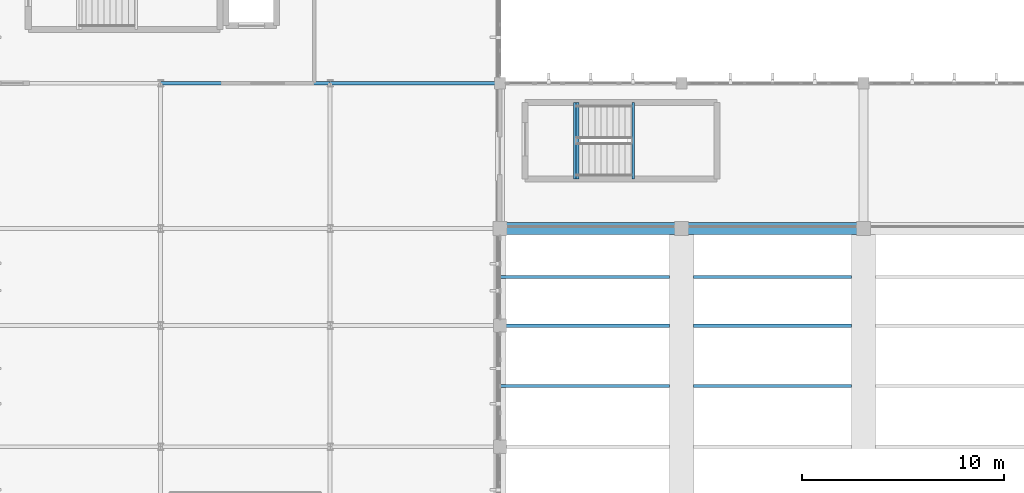
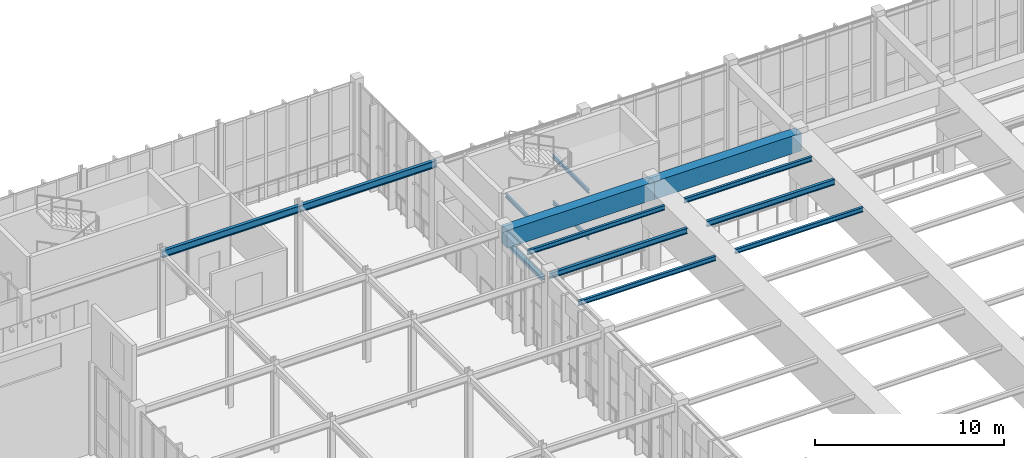
# One storey, part 37 of 105: 14 beams.
"""IFC4 building model written with IfcOpenShell, lengths in metres."""

from ifc_helpers import new_model, si_unit, direction, frame, origin, origin_2d, place, context, subcontext, project, spatial, rectangle, i_section, extrude, material, material_profile, profile_set, type_object, element, save


model = new_model("IFC4")

# Units and contexts
model_context = context("Model", 3, precision=1e-05, world=origin(), true_north=direction((0.0, 1.0)))
body_context = subcontext(model_context, "Body", "Model", "MODEL_VIEW")
ifc_project = project(units=[si_unit("LENGTHUNIT", "METRE"), si_unit("AREAUNIT", "SQUARE_METRE"), si_unit("VOLUMEUNIT", "CUBIC_METRE"), si_unit("PLANEANGLEUNIT", "RADIAN"), si_unit("MASSUNIT", "GRAM", prefix="KILO")], contexts=[model_context])

# Site, building, storey
site_placement = place(None, origin())
site = spatial("IfcSite", under=ifc_project, at=site_placement, CompositionType="ELEMENT")
building_placement = place(site_placement, origin())
building = spatial("IfcBuilding", under=site, at=building_placement, Name="Tizgana Railside Sports Hall", CompositionType="ELEMENT")
storey_placement = place(building_placement, frame((0.0, 0.0, 6.0)))
storey = spatial("IfcBuildingStorey", under=building, at=storey_placement, Name="L01", CompositionType="ELEMENT", Elevation=6.0)

# Beams
ifc_material_1 = material(Name="Concrete C40/50", Category="concrete")
ifc_material_profile_1 = material_profile(ifc_material_1, rectangle(XDim=0.60009765625, YDim=1.14990234375, at=origin_2d()), Name="RCB 600x1150")
ifc_profile_set_1 = profile_set([ifc_material_profile_1], Name="Concrete C40/50")
beam_type_1 = type_object("IfcBeamType", Name="Concrete Beam RCB 600x1150", PredefinedType="BEAM", material=ifc_profile_set_1)
for number, where, z_axis, x_axis, name in (
    (1, (79.800048828125, 73.199951171875, 5.06103515625), (1.0, 0.0, 0.0), (0.0, 1.0, 0.0), "L01 BEM-0266"),
    (2, (88.800048828125, 73.199951171875, 5.06103515625), (1.0, 0.0, 0.0), (0.0, 1.0, 0.0), "L01 BEM-0278"),
):
    element("IfcBeam", number, at=place(storey_placement, frame(where, z_axis=z_axis, x_axis=x_axis)), inside=storey, type_object=beam_type_1, Name=name, PredefinedType="BEAM", context=body_context, shape_type="SweptSolid", body=[
        extrude(rectangle(XDim=0.60009765625, YDim=1.14990234375, at=origin_2d()), origin(), (0.0, 0.0, 1.0), 9.0),
    ])
ifc_material_2 = material(Name="Steel S355J2", Category="steel")
ifc_material_profile_2 = material_profile(ifc_material_2, i_section(OverallWidth=0.1201171875, OverallDepth=0.239990234375, WebThickness=0.006103515625, FlangeThickness=0.009765625, FilletRadius=0.014892578125, at=origin_2d()), Name="IPE 240")
ifc_profile_set_2 = profile_set([ifc_material_profile_2], Name="Steel S355J2")
beam_type_2 = type_object("IfcBeamType", Name="Stair Mid-Landing Header IPE 240", PredefinedType="JOIST", material=ifc_profile_set_2)
for number, where, z_axis, x_axis, name in (
    (3, (86.39990234375, 75.64990234375, 1.177978515625), (0.0, 1.0, 0.0), (-1.0, 0.0, 0.0), "L01 C8 Mid Header 1"),
    (4, (83.5, 75.64990234375, 2.677978515625), (0.0, 1.0, 0.0), (-1.0, 0.0, 0.0), "L01 C8 Mid Header 2"),
    (5, (86.39990234375, 75.64990234375, 4.177978515625), (0.0, 1.0, 0.0), (-1.0, 0.0, 0.0), "L01 C8 Mid Header 3"),
):
    element("IfcBeam", number, at=place(storey_placement, frame(where, z_axis=z_axis, x_axis=x_axis)), inside=storey, type_object=beam_type_2, Name=name, PredefinedType="JOIST", context=body_context, shape_type="SweptSolid", body=[
        extrude(i_section(OverallWidth=0.1201171875, OverallDepth=0.239990234375, WebThickness=0.006103515625, FlangeThickness=0.009765625, FilletRadius=0.014892578125, at=origin_2d()), origin(), (0.0, 0.0, 1.0), 3.800048828125),
    ])
ifc_material_profile_3 = material_profile(ifc_material_2, i_section(OverallWidth=0.239990234375, OverallDepth=0.239990234375, WebThickness=0.010009765625, FlangeThickness=0.01708984375, FilletRadius=0.02099609375, at=origin_2d()), Name="HEB 240")
ifc_profile_set_3 = profile_set([ifc_material_profile_3], Name="Steel S355J2")
beam_type_3 = type_object("IfcBeamType", Name="Steel Beam HEB 240", PredefinedType="BEAM", material=ifc_profile_set_3)
beam_1_placement = place(storey_placement, frame((83.60009765625, 75.64990234375, -0.4619140625), z_axis=(0.0, 1.0, 0.0), x_axis=(-1.0, 0.0, 0.0)))
element("IfcBeam", 6, at=beam_1_placement, inside=storey, type_object=beam_type_3, Name="L01 C8 Landing Header", PredefinedType="BEAM", context=body_context, shape_type="SweptSolid", body=[
    extrude(i_section(OverallWidth=0.239990234375, OverallDepth=0.239990234375, WebThickness=0.010009765625, FlangeThickness=0.01708984375, FilletRadius=0.02099609375, at=origin_2d()), origin(), (0.0, 0.0, 1.0), 3.800048828125),
])
ifc_material_profile_4 = material_profile(ifc_material_2, i_section(OverallWidth=0.18994140625, OverallDepth=0.449951171875, WebThickness=0.009521484375, FlangeThickness=0.0146484375, FilletRadius=0.02099609375, at=origin_2d()), Name="IPE 450")
ifc_profile_set_4 = profile_set([ifc_material_profile_4], Name="Steel S355J2")
beam_type_4 = type_object("IfcBeamType", Name="Steel Beam IPE 450", PredefinedType="BEAM", material=ifc_profile_set_4)
beam_2_placement = place(storey_placement, frame((63.0, 80.39990234375, 5.4609375), z_axis=(1.0, 0.0, 0.0), x_axis=(0.0, 1.0, 0.0)))
element("IfcBeam", 7, at=beam_2_placement, inside=storey, type_object=beam_type_4, Name="L01 BEM-0980", PredefinedType="BEAM", context=body_context, shape_type="SweptSolid", body=[
    extrude(i_section(OverallWidth=0.18994140625, OverallDepth=0.449951171875, WebThickness=0.009521484375, FlangeThickness=0.0146484375, FilletRadius=0.02099609375, at=origin_2d()), origin(), (0.0, 0.0, 1.0), 8.39990234375),
])
beam_3_placement = place(storey_placement, frame((71.39990234375, 80.39990234375, 5.4609375), z_axis=(1.0, 0.0, 0.0), x_axis=(0.0, 1.0, 0.0)))
element("IfcBeam", 8, at=beam_3_placement, inside=storey, type_object=beam_type_4, Name="L01 BEM-0987", PredefinedType="BEAM", context=body_context, shape_type="SweptSolid", body=[
    extrude(i_section(OverallWidth=0.18994140625, OverallDepth=0.449951171875, WebThickness=0.009521484375, FlangeThickness=0.0146484375, FilletRadius=0.02099609375, at=origin_2d()), origin(), (0.0, 0.0, 1.0), 8.400146484375),
])
ifc_material_profile_5 = material_profile(ifc_material_2, i_section(OverallWidth=0.14990234375, OverallDepth=0.300048828125, WebThickness=0.007080078125, FlangeThickness=0.0107421875, FilletRadius=0.014892578125, at=origin_2d()), Name="IPE 300")
ifc_profile_set_5 = profile_set([ifc_material_profile_5], Name="Steel S355J2")
beam_type_5 = type_object("IfcBeamType", Name="Steel Joist IPE 300", PredefinedType="JOIST", material=ifc_profile_set_5)
for number, where, z_axis, x_axis, name in (
    (9, (79.800048828125, 65.39990234375, 5.486083984375), (1.0, 0.0, 0.0), (0.0, 1.0, 0.0), "L01 BEM-0271"),
    (10, (79.800048828125, 70.800048828125, 5.486083984375), (1.0, 0.0, 0.0), (0.0, 1.0, 0.0), "L01 BEM-0272"),
):
    element("IfcBeam", number, at=place(storey_placement, frame(where, z_axis=z_axis, x_axis=x_axis)), inside=storey, type_object=beam_type_5, Name=name, PredefinedType="JOIST", context=body_context, shape_type="SweptSolid", body=[
        extrude(i_section(OverallWidth=0.14990234375, OverallDepth=0.300048828125, WebThickness=0.007080078125, FlangeThickness=0.0107421875, FilletRadius=0.014892578125, at=origin_2d()), origin(), (0.0, 0.0, 1.0), 8.405029296875),
    ])
for number, where, z_axis, x_axis, name in (
    (11, (89.39501953125, 65.39990234375, 5.486083984375), (1.0, 0.0, 0.0), (0.0, 1.0, 0.0), "L01 BEM-0283"),
    (12, (89.39501953125, 70.800048828125, 5.486083984375), (1.0, 0.0, 0.0), (0.0, 1.0, 0.0), "L01 BEM-0284"),
):
    element("IfcBeam", number, at=place(storey_placement, frame(where, z_axis=z_axis, x_axis=x_axis)), inside=storey, type_object=beam_type_5, Name=name, PredefinedType="JOIST", context=body_context, shape_type="SweptSolid", body=[
        extrude(i_section(OverallWidth=0.14990234375, OverallDepth=0.300048828125, WebThickness=0.007080078125, FlangeThickness=0.0107421875, FilletRadius=0.014892578125, at=origin_2d()), origin(), (0.0, 0.0, 1.0), 7.81005859375),
    ])
ifc_material_profile_6 = material_profile(ifc_material_2, i_section(OverallWidth=0.169921875, OverallDepth=0.360107421875, WebThickness=0.008056640625, FlangeThickness=0.0126953125, FilletRadius=0.01806640625, at=origin_2d()), Name="IPE 360")
ifc_profile_set_6 = profile_set([ifc_material_profile_6], Name="Steel S355J2")
beam_type_6 = type_object("IfcBeamType", Name="Steel Joist IPE 360", PredefinedType="JOIST", material=ifc_profile_set_6)
beam_4_placement = place(storey_placement, frame((79.800048828125, 68.39990234375, 5.4560546875), z_axis=(1.0, 0.0, 0.0), x_axis=(0.0, 1.0, 0.0)))
element("IfcBeam", 13, at=beam_4_placement, inside=storey, type_object=beam_type_6, Name="L01 BEM-0265", PredefinedType="JOIST", context=body_context, shape_type="SweptSolid", body=[
    extrude(i_section(OverallWidth=0.169921875, OverallDepth=0.360107421875, WebThickness=0.008056640625, FlangeThickness=0.0126953125, FilletRadius=0.01806640625, at=origin_2d()), origin(), (0.0, 0.0, 1.0), 8.405029296875),
])
beam_5_placement = place(storey_placement, frame((89.39501953125, 68.39990234375, 5.4560546875), z_axis=(1.0, 0.0, 0.0), x_axis=(0.0, 1.0, 0.0)))
element("IfcBeam", 14, at=beam_5_placement, inside=storey, type_object=beam_type_6, Name="L01 BEM-0277", PredefinedType="JOIST", context=body_context, shape_type="SweptSolid", body=[
    extrude(i_section(OverallWidth=0.169921875, OverallDepth=0.360107421875, WebThickness=0.008056640625, FlangeThickness=0.0126953125, FilletRadius=0.01806640625, at=origin_2d()), origin(), (0.0, 0.0, 1.0), 7.81005859375),
])

save(model, "model.ifc")
